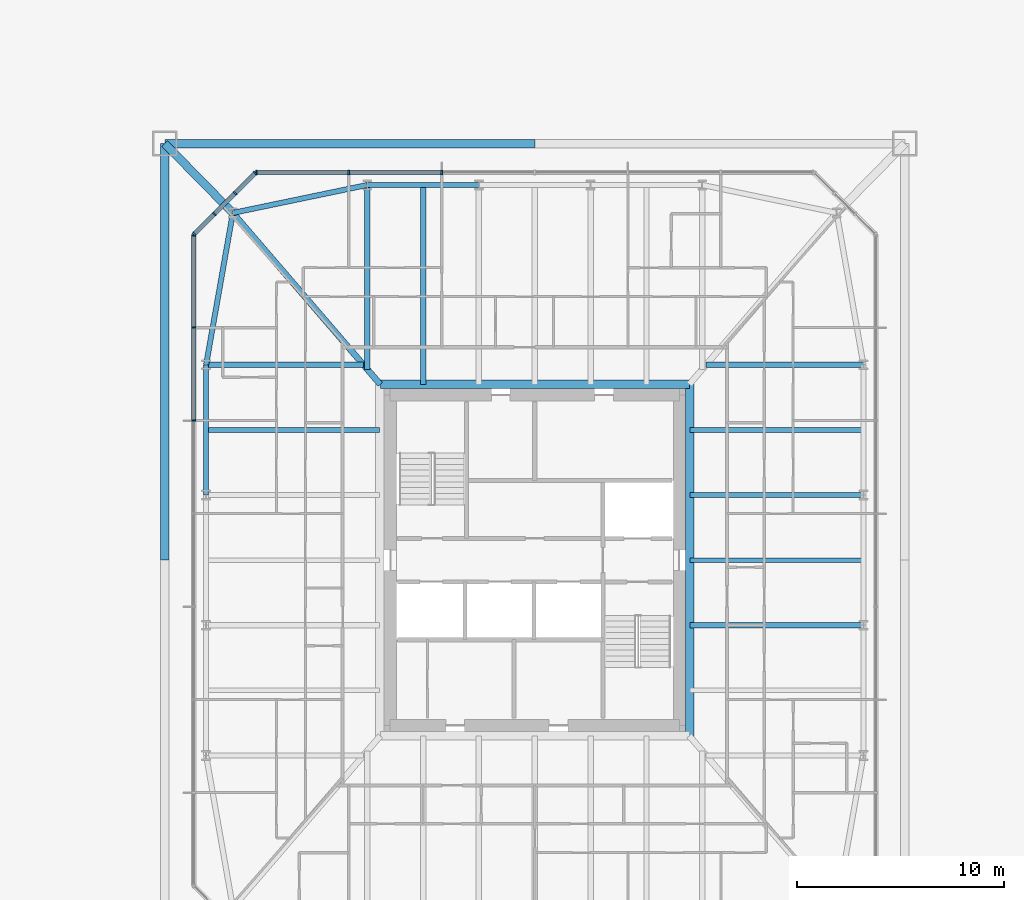
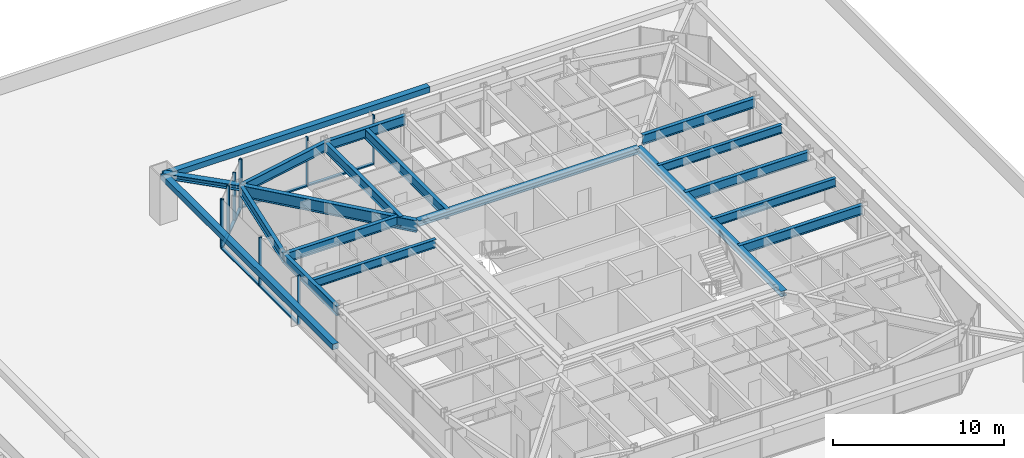
# One storey, part 11 of 31: 20 members, 16 beams, 3 elements without a shape of their own.
"""IFC4 building model written with IfcOpenShell, lengths in metres."""

from ifc_helpers import new_model, si_unit, direction, frame, origin, origin_2d, place, context, subcontext, project, spatial, rectangle, hollow_rectangle, i_section, extrude, material, material_profile, profile_set, type_object, element, aggregate, save


model = new_model("IFC4")

# Units and contexts
model_context = context("Model", 3, precision=1e-05, world=origin(), true_north=direction((0.0, 1.0)))
body_context = subcontext(model_context, "Body", "Model", "MODEL_VIEW")
ifc_project = project(units=[si_unit("LENGTHUNIT", "METRE"), si_unit("AREAUNIT", "SQUARE_METRE"), si_unit("VOLUMEUNIT", "CUBIC_METRE"), si_unit("PLANEANGLEUNIT", "RADIAN"), si_unit("MASSUNIT", "GRAM", prefix="KILO")], contexts=[model_context])

# Site, building, storey
site_placement = place(None, origin())
site = spatial("IfcSite", under=ifc_project, at=site_placement, CompositionType="ELEMENT")
building_placement = place(site_placement, origin())
building = spatial("IfcBuilding", under=site, at=building_placement, Name="Iwan Alto Co-Living Towers", CompositionType="ELEMENT")
storey_placement = place(building_placement, frame((0.0, 0.0, 15.0)))
storey = spatial("IfcBuildingStorey", under=building, at=storey_placement, Name="L03", CompositionType="ELEMENT", Elevation=15.0)

# Curtain wall, members
ifc_material_1 = material(Name="Bronze aluminium unitised frame", Category="aluminium")
curtain_wall_type_1 = type_object("IfcCurtainWallType", Name="CURTAIN WALL CW-C", PredefinedType="NOTDEFINED", material=ifc_material_1)
curtain_wall_1_placement = place(storey_placement, origin())
curtain_wall_1 = element("IfcCurtainWall", 1, at=curtain_wall_1_placement, inside=storey, type_object=curtain_wall_type_1, Name="T2 curtain wall N L03", PredefinedType="NOTDEFINED")
ifc_material_2 = material(Name="Aluminium 6063-T6 bronze anodised", Category="aluminium")
ifc_material_profile_1 = material_profile(ifc_material_2, rectangle(XDim=0.199951171875, YDim=0.080078125, at=origin_2d()), Name="AL 80X200")
ifc_profile_set_1 = profile_set([ifc_material_profile_1], Name="Aluminium 6063-T6 bronze anodised")
member_type_1 = type_object("IfcMemberType", Name="CW-C MULLION 80X200", PredefinedType="MULLION", material=ifc_profile_set_1)
member_1_placement = place(storey_placement, frame((58.5, 18.75, 0.0), z_axis=(0.0, 0.0, 1.0), x_axis=(0.0, -1.0, 0.0)))
member_1 = element("IfcMember", 2, at=member_1_placement, type_object=member_type_1, Name="CW-C mullion 5", PredefinedType="MULLION", context=body_context, shape_type="SweptSolid", body=[
    extrude(rectangle(XDim=0.199951171875, YDim=0.080078125, at=origin_2d()), origin(), (0.0, 0.0, 1.0), 3.5),
])
member_2_placement = place(storey_placement, frame((54.0, 18.75, 0.0), z_axis=(0.0, 0.0, 1.0), x_axis=(0.0, -1.0, 0.0)))
member_2 = element("IfcMember", 3, at=member_2_placement, type_object=member_type_1, Name="CW-C mullion 6", PredefinedType="MULLION", context=body_context, shape_type="SweptSolid", body=[
    extrude(rectangle(XDim=0.199951171875, YDim=0.080078125, at=origin_2d()), origin(), (0.0, 0.0, 1.0), 3.5),
])
member_3_placement = place(storey_placement, frame((49.5400390625, 18.75, 0.0), z_axis=(0.0, 0.0, 1.0), x_axis=(0.0, -1.0, 0.0)))
member_3 = element("IfcMember", 4, at=member_3_placement, type_object=member_type_1, Name="CW-C mullion 7", PredefinedType="MULLION", context=body_context, shape_type="SweptSolid", body=[
    extrude(rectangle(XDim=0.199951171875, YDim=0.080078125, at=origin_2d()), origin(), (0.0, 0.0, 1.0), 3.5),
])

curtain_wall_2_placement = place(storey_placement, origin())
curtain_wall_2 = element("IfcCurtainWall", 5, at=curtain_wall_2_placement, inside=storey, type_object=curtain_wall_type_1, Name="T2 curtain wall W L03", PredefinedType="NOTDEFINED")
member_4_placement = place(storey_placement, frame((46.5, 15.7099609375, 0.0), z_axis=(0.0, 0.0, 1.0), x_axis=(1.0, 0.0, 0.0)))
member_4 = element("IfcMember", 6, at=member_4_placement, type_object=member_type_1, Name="CW-C mullion 1", PredefinedType="MULLION", context=body_context, shape_type="SweptSolid", body=[
    extrude(rectangle(XDim=0.199951171875, YDim=0.080078125, at=origin_2d()), origin(), (0.0, 0.0, 1.0), 3.5),
])
member_5_placement = place(storey_placement, frame((46.5, 11.25, 0.0), z_axis=(0.0, 0.0, 1.0), x_axis=(1.0, 0.0, 0.0)))
member_5 = element("IfcMember", 7, at=member_5_placement, type_object=member_type_1, Name="CW-C mullion 2", PredefinedType="MULLION", context=body_context, shape_type="SweptSolid", body=[
    extrude(rectangle(XDim=0.199951171875, YDim=0.080078125, at=origin_2d()), origin(), (0.0, 0.0, 1.0), 3.5),
])
member_6_placement = place(storey_placement, frame((46.5, 6.75, 0.0), z_axis=(0.0, 0.0, 1.0), x_axis=(1.0, 0.0, 0.0)))
member_6 = element("IfcMember", 8, at=member_6_placement, type_object=member_type_1, Name="CW-C mullion 3", PredefinedType="MULLION", context=body_context, shape_type="SweptSolid", body=[
    extrude(rectangle(XDim=0.199951171875, YDim=0.080078125, at=origin_2d()), origin(), (0.0, 0.0, 1.0), 3.5),
])

# Member
ifc_material_3 = material(Name="Aluminium 6063-T6 bronze anodised", Category="aluminium")
ifc_material_profile_2 = material_profile(ifc_material_3, rectangle(XDim=0.199951171875, YDim=0.10009765625, at=origin_2d()), Name="AL 200X100")
ifc_profile_set_2 = profile_set([ifc_material_profile_2], Name="Aluminium 6063-T6 bronze anodised")
member_type_2 = type_object("IfcMemberType", Name="CW-C TRANSOM 200X100", PredefinedType="USERDEFINED", material=ifc_profile_set_2)
member_7_placement = place(storey_placement, frame((58.4599609375, 18.75, 0.050048828125), z_axis=(-1.0, 0.0, 0.0), x_axis=(0.0, -1.0, 0.0)))
member_7 = element("IfcMember", 9, at=member_7_placement, type_object=member_type_2, Name="CW-C transom 5.1", ObjectType="TRANSOM", PredefinedType="USERDEFINED", context=body_context, shape_type="SweptSolid", body=[
    extrude(rectangle(XDim=0.199951171875, YDim=0.10009765625, at=origin_2d()), origin(), (0.0, 0.0, 1.0), 4.419921875),
])

member_8_placement = place(storey_placement, frame((53.9599609375, 18.75, 0.050048828125), z_axis=(-1.0, 0.0, 0.0), x_axis=(0.0, -1.0, 0.0)))
member_8 = element("IfcMember", 10, at=member_8_placement, type_object=member_type_2, Name="CW-C transom 6.1", ObjectType="TRANSOM", PredefinedType="USERDEFINED", context=body_context, shape_type="SweptSolid", body=[
    extrude(rectangle(XDim=0.199951171875, YDim=0.10009765625, at=origin_2d()), origin(), (0.0, 0.0, 1.0), 4.3798828125),
])

aggregate(curtain_wall_1, [member_1, member_2, member_3, member_7, member_8])

member_9_placement = place(storey_placement, frame((46.5, 15.669921875, 0.050048828125), z_axis=(0.0, -1.0, 0.0), x_axis=(1.0, 0.0, 0.0)))
member_9 = element("IfcMember", 11, at=member_9_placement, type_object=member_type_2, Name="CW-C transom 1.1", ObjectType="TRANSOM", PredefinedType="USERDEFINED", context=body_context, shape_type="SweptSolid", body=[
    extrude(rectangle(XDim=0.199951171875, YDim=0.10009765625, at=origin_2d()), origin(), (0.0, 0.0, 1.0), 4.3798828125),
])

member_10_placement = place(storey_placement, frame((46.5, 11.2099609375, 0.050048828125), z_axis=(0.0, -1.0, 0.0), x_axis=(1.0, 0.0, 0.0)))
member_10 = element("IfcMember", 12, at=member_10_placement, type_object=member_type_2, Name="CW-C transom 2.1", ObjectType="TRANSOM", PredefinedType="USERDEFINED", context=body_context, shape_type="SweptSolid", body=[
    extrude(rectangle(XDim=0.199951171875, YDim=0.10009765625, at=origin_2d()), origin(), (0.0, 0.0, 1.0), 4.419921875),
])

aggregate(curtain_wall_2, [member_4, member_5, member_6, member_9, member_10])

# Curtain wall, members
ifc_material_4 = material(Name="Bronze aluminium unitised frame", Category="aluminium")
curtain_wall_type_2 = type_object("IfcCurtainWallType", Name="CURTAIN WALL CW-D", PredefinedType="NOTDEFINED", material=ifc_material_4)
curtain_wall_3_placement = place(storey_placement, origin())
curtain_wall_3 = element("IfcCurtainWall", 13, at=curtain_wall_3_placement, inside=storey, type_object=curtain_wall_type_2, Name="T2 chamfer curtain wall NW L03", PredefinedType="NOTDEFINED")
ifc_material_5 = material(Name="Aluminium 6063-T6 bronze anodised", Category="aluminium")
ifc_material_profile_3 = material_profile(ifc_material_5, rectangle(XDim=0.199951171875, YDim=0.080078125, at=origin_2d()), Name="AL 80X200")
ifc_profile_set_3 = profile_set([ifc_material_profile_3], Name="Aluminium 6063-T6 bronze anodised")
member_type_3 = type_object("IfcMemberType", Name="CW-D MULLION 80X200", PredefinedType="MULLION", material=ifc_profile_set_3)
member_11_placement = place(storey_placement, frame((49.4716796875, 18.7216796875, 0.0), z_axis=(0.0, 0.0, 1.0), x_axis=(0.707106781187, -0.707106781187, 0.0)))
member_11 = element("IfcMember", 14, at=member_11_placement, type_object=member_type_3, Name="CW-D mullion 1", PredefinedType="MULLION", context=body_context, shape_type="SweptSolid", body=[
    extrude(rectangle(XDim=0.199951171875, YDim=0.080078125, at=origin_2d()), origin(), (0.0, 0.0, 1.0), 3.5),
])
member_12_placement = place(storey_placement, frame((48.5, 17.75, 0.0), z_axis=(0.0, 0.0, 1.0), x_axis=(0.707106781187, -0.707106781187, 0.0)))
member_12 = element("IfcMember", 15, at=member_12_placement, type_object=member_type_3, Name="CW-D mullion 2", PredefinedType="MULLION", context=body_context, shape_type="SweptSolid", body=[
    extrude(rectangle(XDim=0.199951171875, YDim=0.080078125, at=origin_2d()), origin(), (0.0, 0.0, 1.0), 3.5),
])
member_13_placement = place(storey_placement, frame((47.5, 16.75, 0.0), z_axis=(0.0, 0.0, 1.0), x_axis=(0.707106781187, -0.707106781187, 0.0)))
member_13 = element("IfcMember", 16, at=member_13_placement, type_object=member_type_3, Name="CW-D mullion 3", PredefinedType="MULLION", context=body_context, shape_type="SweptSolid", body=[
    extrude(rectangle(XDim=0.199951171875, YDim=0.080078125, at=origin_2d()), origin(), (0.0, 0.0, 1.0), 3.5),
])
member_14_placement = place(storey_placement, frame((46.5283203125, 15.7783203125, 0.0), z_axis=(0.0, 0.0, 1.0), x_axis=(0.707106781187, -0.707106781187, 0.0)))
member_14 = element("IfcMember", 17, at=member_14_placement, type_object=member_type_3, Name="CW-D mullion 4", PredefinedType="MULLION", context=body_context, shape_type="SweptSolid", body=[
    extrude(rectangle(XDim=0.199951171875, YDim=0.080078125, at=origin_2d()), origin(), (0.0, 0.0, 1.0), 3.5),
])
ifc_material_6 = material(Name="Aluminium 6063-T6 bronze anodised", Category="aluminium")
ifc_material_profile_4 = material_profile(ifc_material_6, rectangle(XDim=0.199951171875, YDim=0.10009765625, at=origin_2d()), Name="AL 200X100")
ifc_profile_set_4 = profile_set([ifc_material_profile_4], Name="Aluminium 6063-T6 bronze anodised")
member_type_4 = type_object("IfcMemberType", Name="CW-D TRANSOM 200X100", PredefinedType="USERDEFINED", material=ifc_profile_set_4)
member_15_placement = place(storey_placement, frame((49.443359375, 18.693359375, 0.050048828125), z_axis=(-0.707106781187, -0.707106781187, 0.0), x_axis=(0.707106781187, -0.707106781187, 0.0)))
member_15 = element("IfcMember", 18, at=member_15_placement, type_object=member_type_4, Name="CW-D transom 1.1", ObjectType="TRANSOM", PredefinedType="USERDEFINED", context=body_context, shape_type="SweptSolid", body=[
    extrude(rectangle(XDim=0.199951171875, YDim=0.10009765625, at=origin_2d()), origin(), (0.0, 0.0, 1.0), 1.2939453125),
])
member_16_placement = place(storey_placement, frame((48.4716796875, 17.7216796875, 0.050048828125), z_axis=(-0.707106781187, -0.707106781187, 0.0), x_axis=(0.707106781187, -0.707106781187, 0.0)))
member_16 = element("IfcMember", 19, at=member_16_placement, type_object=member_type_4, Name="CW-D transom 2.1", ObjectType="TRANSOM", PredefinedType="USERDEFINED", context=body_context, shape_type="SweptSolid", body=[
    extrude(rectangle(XDim=0.199951171875, YDim=0.10009765625, at=origin_2d()), origin(), (0.0, 0.0, 1.0), 1.334228515625),
])
member_17_placement = place(storey_placement, frame((47.4716796875, 16.7216796875, 0.050048828125), z_axis=(-0.707106781187, -0.707106781187, 0.0), x_axis=(0.707106781187, -0.707106781187, 0.0)))
member_17 = element("IfcMember", 20, at=member_17_placement, type_object=member_type_4, Name="CW-D transom 3.1", ObjectType="TRANSOM", PredefinedType="USERDEFINED", context=body_context, shape_type="SweptSolid", body=[
    extrude(rectangle(XDim=0.199951171875, YDim=0.10009765625, at=origin_2d()), origin(), (0.0, 0.0, 1.0), 1.2939453125),
])
aggregate(curtain_wall_3, [member_11, member_12, member_13, member_14, member_15, member_16, member_17])

# Beams
ifc_material_7 = material(Name="Steel ASTM A992 Gr 50", Category="steel")
ifc_material_profile_5 = material_profile(ifc_material_7, i_section(OverallWidth=0.40380859375, OverallDepth=0.406494140625, WebThickness=0.027099609375, FlangeThickness=0.043701171875, at=origin_2d()), Name="W14X233")
ifc_profile_set_5 = profile_set([ifc_material_profile_5], Name="Steel ASTM A992 Gr 50")
beam_type_1 = type_object("IfcBeamType", Name="T2 CORE LEDGER BEAM W14X233", PredefinedType="BEAM", material=ifc_profile_set_5)
beam_1_placement = place(storey_placement, frame((70.501953125, -8.534912109375, 3.06689453125), z_axis=(0.0, 1.0, 0.0), x_axis=(-1.0, 0.0, 0.0)))
element("IfcBeam", 21, at=beam_1_placement, inside=storey, type_object=beam_type_1, Name="T2 core ledger beam E L04", PredefinedType="BEAM", context=body_context, shape_type="SweptSolid", body=[
    extrude(i_section(OverallWidth=0.40380859375, OverallDepth=0.406494140625, WebThickness=0.027099609375, FlangeThickness=0.043701171875, at=origin_2d()), origin(), (0.0, 0.0, 1.0), 17.06982421875),
])
beam_2_placement = place(storey_placement, frame((70.4736328125, 8.501953125, 3.06689453125), z_axis=(-1.0, 0.0, 0.0), x_axis=(0.0, -1.0, 0.0)))
element("IfcBeam", 22, at=beam_2_placement, inside=storey, type_object=beam_type_1, Name="T2 core ledger beam N L04", PredefinedType="BEAM", context=body_context, shape_type="SweptSolid", body=[
    extrude(i_section(OverallWidth=0.40380859375, OverallDepth=0.406494140625, WebThickness=0.027099609375, FlangeThickness=0.043701171875, at=origin_2d()), origin(), (0.0, 0.0, 1.0), 14.947265625),
])
ifc_material_8 = material(Name="Steel ASTM A992 Gr 50", Category="steel")
ifc_material_profile_6 = material_profile(ifc_material_8, i_section(OverallWidth=0.2919921875, OverallDepth=0.8408203125, WebThickness=0.0146484375, FlangeThickness=0.021728515625, at=origin_2d()), Name="W33X130")
ifc_profile_set_6 = profile_set([ifc_material_profile_6], Name="Steel ASTM A992 Gr 50")
beam_type_2 = type_object("IfcBeamType", Name="T2 CORNER GIRDER W33X130", PredefinedType="BEAM", material=ifc_profile_set_6)
beam_3_placement = place(storey_placement, frame((48.393798828125, 16.797119140625, 2.849609375), z_axis=(0.651972301827, -0.758242782788, 0.0), x_axis=(0.758242782788, 0.651972301827, 0.0)))
element("IfcBeam", 23, at=beam_3_placement, inside=storey, type_object=beam_type_2, Name="T2 corner girder CNW L04", PredefinedType="BEAM", context=body_context, shape_type="SweptSolid", body=[
    extrude(i_section(OverallWidth=0.2919921875, OverallDepth=0.8408203125, WebThickness=0.0146484375, FlangeThickness=0.021728515625, at=origin_2d()), origin(), (0.0, 0.0, 1.0), 10.93994140625),
])
ifc_material_9 = material(Name="Steel ASTM A992 Gr 50", Category="steel")
ifc_material_profile_7 = material_profile(ifc_material_9, i_section(OverallWidth=0.25390625, OverallDepth=0.683349609375, WebThickness=0.012451171875, FlangeThickness=0.018798828125, at=origin_2d()), Name="W27X94")
ifc_profile_set_7 = profile_set([ifc_material_profile_7], Name="Steel ASTM A992 Gr 50")
beam_type_3 = type_object("IfcBeamType", Name="T2 EDGE BEAM W27X94", PredefinedType="BEAM", material=ifc_profile_set_7)
beam_4_placement = place(storey_placement, frame((60.300048828125, 18.14990234375, 2.928466796875), z_axis=(-1.0, 0.0, 0.0), x_axis=(0.0, -1.0, 0.0)))
element("IfcBeam", 24, at=beam_4_placement, inside=storey, type_object=beam_type_3, Name="T2 edge beam N3 L04", PredefinedType="BEAM", context=body_context, shape_type="SweptSolid", body=[
    extrude(i_section(OverallWidth=0.25390625, OverallDepth=0.683349609375, WebThickness=0.012451171875, FlangeThickness=0.018798828125, at=origin_2d()), origin(), (0.0, 0.0, 1.0), 5.400146484375),
])
beam_5_placement = place(storey_placement, frame((54.89990234375, 18.14990234375, 2.928466796875), z_axis=(-0.979060119423, -0.203571320564, 0.0), x_axis=(0.203571320564, -0.979060119423, 0.0)))
element("IfcBeam", 25, at=beam_5_placement, inside=storey, type_object=beam_type_3, Name="T2 edge beam N4 L04", PredefinedType="BEAM", context=body_context, shape_type="SweptSolid", body=[
    extrude(i_section(OverallWidth=0.25390625, OverallDepth=0.683349609375, WebThickness=0.012451171875, FlangeThickness=0.018798828125, at=origin_2d()), origin(), (0.0, 0.0, 1.0), 6.645263671875),
])
beam_6_placement = place(storey_placement, frame((48.393798828125, 16.797119140625, 2.928466796875), z_axis=(-0.173413807283, -0.98484905008, 0.0), x_axis=(0.98484905008, -0.173413807283, 0.0)))
element("IfcBeam", 26, at=beam_6_placement, inside=storey, type_object=beam_type_3, Name="T2 edge beam CNW L04", PredefinedType="BEAM", context=body_context, shape_type="SweptSolid", body=[
    extrude(i_section(OverallWidth=0.25390625, OverallDepth=0.683349609375, WebThickness=0.012451171875, FlangeThickness=0.018798828125, at=origin_2d()), origin(), (0.0, 0.0, 1.0), 7.460205078125),
])
beam_7_placement = place(storey_placement, frame((47.10009765625, 9.449951171875, 2.928466796875), z_axis=(0.0, -1.0, 0.0), x_axis=(1.0, 0.0, 0.0)))
element("IfcBeam", 27, at=beam_7_placement, inside=storey, type_object=beam_type_3, Name="T2 edge beam W1 L04", PredefinedType="BEAM", context=body_context, shape_type="SweptSolid", body=[
    extrude(i_section(OverallWidth=0.25390625, OverallDepth=0.683349609375, WebThickness=0.012451171875, FlangeThickness=0.018798828125, at=origin_2d()), origin(), (0.0, 0.0, 1.0), 6.300048828125),
])

# Members
ifc_material_10 = material(Name="Steel ASTM A992 Gr 50", Category="steel")
ifc_material_profile_8 = material_profile(ifc_material_10, i_section(OverallWidth=0.393798828125, OverallDepth=0.3759765625, WebThickness=0.017333984375, FlangeThickness=0.027587890625, at=origin_2d()), Name="W14X145")
ifc_profile_set_8 = profile_set([ifc_material_profile_8], Name="Steel ASTM A992 Gr 50")
member_type_5 = type_object("IfcMemberType", Name="T2 MEGA COLUMN FLOOR TIE W14X145", PredefinedType="STRUT", material=ifc_profile_set_8)
member_18_placement = place(storey_placement, frame((45.10009765625, 20.14990234375, 3.08203125), z_axis=(0.700793469544, -0.71336422187, 0.0), x_axis=(0.71336422187, 0.700793469544, 0.0)))
element("IfcMember", 28, at=member_18_placement, inside=storey, type_object=member_type_5, Name="T2 mega column floor tie NW L04", PredefinedType="STRUT", context=body_context, shape_type="SweptSolid", body=[
    extrude(i_section(OverallWidth=0.393798828125, OverallDepth=0.3759765625, WebThickness=0.017333984375, FlangeThickness=0.027587890625, at=origin_2d()), origin(), (0.0, 0.0, 1.0), 4.699951171875),
])
ifc_material_11 = material(Name="Steel ASTM A500 Gr C", Category="steel")
ifc_material_profile_9 = material_profile(ifc_material_11, hollow_rectangle(XDim=0.406494140625, YDim=0.406494140625, WallThickness=0.0146484375, at=origin_2d()), Name="HSS16X16X5/8")
ifc_profile_set_9 = profile_set([ifc_material_profile_9], Name="Steel ASTM A500 Gr C")
member_type_6 = type_object("IfcMemberType", Name="T2 MEGA TIE HSS16X16X5/8", PredefinedType="STRUT", material=ifc_profile_set_9)
member_19_placement = place(storey_placement, frame((63.0, 20.14990234375, 3.0), z_axis=(-1.0, 0.0, 0.0), x_axis=(0.0, -1.0, 0.0)))
element("IfcMember", 29, at=member_19_placement, inside=storey, type_object=member_type_6, Name="T2 mega tie Z1A N 2", PredefinedType="STRUT", context=body_context, shape_type="SweptSolid", body=[
    extrude(hollow_rectangle(XDim=0.406494140625, YDim=0.406494140625, WallThickness=0.0146484375, at=origin_2d()), origin(), (0.0, 0.0, 1.0), 17.89990234375),
])
member_20_placement = place(storey_placement, frame((45.10009765625, 20.14990234375, 3.0), z_axis=(0.0, -1.0, 0.0), x_axis=(1.0, 0.0, 0.0)))
element("IfcMember", 30, at=member_20_placement, inside=storey, type_object=member_type_6, Name="T2 mega tie Z1A W 1", PredefinedType="STRUT", context=body_context, shape_type="SweptSolid", body=[
    extrude(hollow_rectangle(XDim=0.406494140625, YDim=0.406494140625, WallThickness=0.0146484375, at=origin_2d()), origin(), (0.0, 0.0, 1.0), 20.14990234375),
])

# Beams
ifc_material_12 = material(Name="Steel ASTM A992 Gr 50", Category="steel")
ifc_material_profile_10 = material_profile(ifc_material_12, i_section(OverallWidth=0.25390625, OverallDepth=0.683349609375, WebThickness=0.012451171875, FlangeThickness=0.018798828125, at=origin_2d()), Name="W27X94")
ifc_profile_set_10 = profile_set([ifc_material_profile_10], Name="Steel ASTM A992 Gr 50")
beam_type_4 = type_object("IfcBeamType", Name="T2 RADIAL BEAM W27X94", PredefinedType="BEAM", material=ifc_profile_set_10)
for number, where, z_axis, x_axis, name in (
    (31, (78.89990234375, -3.14990234375, 2.928466796875), (-1.0, 0.0, 0.0), (0.0, -1.0, 0.0), "T2 radial beam E2 L04"),
    (32, (78.89990234375, 3.14990234375, 2.928466796875), (-1.0, 0.0, 0.0), (0.0, -1.0, 0.0), "T2 radial beam E3 L04"),
):
    element("IfcBeam", number, at=place(storey_placement, frame(where, z_axis=z_axis, x_axis=x_axis)), inside=storey, type_object=beam_type_4, Name=name, PredefinedType="BEAM", context=body_context, shape_type="SweptSolid", body=[
        extrude(i_section(OverallWidth=0.25390625, OverallDepth=0.683349609375, WebThickness=0.012451171875, FlangeThickness=0.018798828125, at=origin_2d()), origin(), (0.0, 0.0, 1.0), 8.39794921875),
    ])
beam_8_placement = place(storey_placement, frame((78.89990234375, 9.449951171875, 2.928466796875), z_axis=(-1.0, 0.0, 0.0), x_axis=(0.0, -1.0, 0.0)))
element("IfcBeam", 33, at=beam_8_placement, inside=storey, type_object=beam_type_4, Name="T2 radial beam E4 L04", PredefinedType="BEAM", context=body_context, shape_type="SweptSolid", body=[
    extrude(i_section(OverallWidth=0.25390625, OverallDepth=0.683349609375, WebThickness=0.012451171875, FlangeThickness=0.018798828125, at=origin_2d()), origin(), (0.0, 0.0, 1.0), 7.611083984375),
])
beam_9_placement = place(storey_placement, frame((54.89990234375, 18.14990234375, 2.928466796875), z_axis=(0.0, -1.0, 0.0), x_axis=(1.0, 0.0, 0.0)))
element("IfcBeam", 34, at=beam_9_placement, inside=storey, type_object=beam_type_4, Name="T2 radial beam N4 L04", PredefinedType="BEAM", context=body_context, shape_type="SweptSolid", body=[
    extrude(i_section(OverallWidth=0.25390625, OverallDepth=0.683349609375, WebThickness=0.012451171875, FlangeThickness=0.018798828125, at=origin_2d()), origin(), (0.0, 0.0, 1.0), 8.91943359375),
])
beam_10_placement = place(storey_placement, frame((47.10009765625, 9.449951171875, 2.928466796875), z_axis=(1.0, 0.0, 0.0), x_axis=(0.0, 1.0, 0.0)))
element("IfcBeam", 35, at=beam_10_placement, inside=storey, type_object=beam_type_4, Name="T2 radial beam W1 L04", PredefinedType="BEAM", context=body_context, shape_type="SweptSolid", body=[
    extrude(i_section(OverallWidth=0.25390625, OverallDepth=0.683349609375, WebThickness=0.012451171875, FlangeThickness=0.018798828125, at=origin_2d()), origin(), (0.0, 0.0, 1.0), 7.611083984375),
])
ifc_material_13 = material(Name="Steel ASTM A992 Gr 50", Category="steel")
ifc_material_profile_11 = material_profile(ifc_material_13, i_section(OverallWidth=0.228271484375, OverallDepth=0.607177734375, WebThickness=0.01123046875, FlangeThickness=0.017333984375, at=origin_2d()), Name="W24X76")
ifc_profile_set_11 = profile_set([ifc_material_profile_11], Name="Steel ASTM A992 Gr 50")
beam_type_5 = type_object("IfcBeamType", Name="T2 SECONDARY BEAM W24X76", PredefinedType="JOIST", material=ifc_profile_set_11)
for number, where, z_axis, x_axis, name in (
    (36, (78.89990234375, 0.0, 2.966552734375), (-1.0, 0.0, 0.0), (0.0, -1.0, 0.0), "T2 secondary beam E2 L04"),
    (37, (78.89990234375, 6.300048828125, 2.966552734375), (-1.0, 0.0, 0.0), (0.0, -1.0, 0.0), "T2 secondary beam E3 L04"),
    (38, (47.10009765625, 6.300048828125, 2.966552734375), (1.0, 0.0, 0.0), (0.0, 1.0, 0.0), "T2 secondary beam W1 L04"),
):
    element("IfcBeam", number, at=place(storey_placement, frame(where, z_axis=z_axis, x_axis=x_axis)), inside=storey, type_object=beam_type_5, Name=name, PredefinedType="JOIST", context=body_context, shape_type="SweptSolid", body=[
        extrude(i_section(OverallWidth=0.228271484375, OverallDepth=0.607177734375, WebThickness=0.01123046875, FlangeThickness=0.017333984375, at=origin_2d()), origin(), (0.0, 0.0, 1.0), 8.39794921875),
    ])
ifc_material_14 = material(Name="Steel ASTM A992 Gr 50", Category="steel")
ifc_material_profile_12 = material_profile(ifc_material_14, i_section(OverallWidth=0.25390625, OverallDepth=0.683349609375, WebThickness=0.012451171875, FlangeThickness=0.018798828125, at=origin_2d()), Name="W27X94")
ifc_profile_set_12 = profile_set([ifc_material_profile_12], Name="Steel ASTM A992 Gr 50")
beam_type_6 = type_object("IfcBeamType", Name="T2 SECONDARY BEAM W27X94", PredefinedType="JOIST", material=ifc_profile_set_12)
beam_11_placement = place(storey_placement, frame((57.60009765625, 18.14990234375, 2.928466796875), z_axis=(0.0, -1.0, 0.0), x_axis=(1.0, 0.0, 0.0)))
element("IfcBeam", 39, at=beam_11_placement, inside=storey, type_object=beam_type_6, Name="T2 secondary beam N3 L04", PredefinedType="JOIST", context=body_context, shape_type="SweptSolid", body=[
    extrude(i_section(OverallWidth=0.25390625, OverallDepth=0.683349609375, WebThickness=0.012451171875, FlangeThickness=0.018798828125, at=origin_2d()), origin(), (0.0, 0.0, 1.0), 9.64794921875),
])

save(model, "model.ifc")
